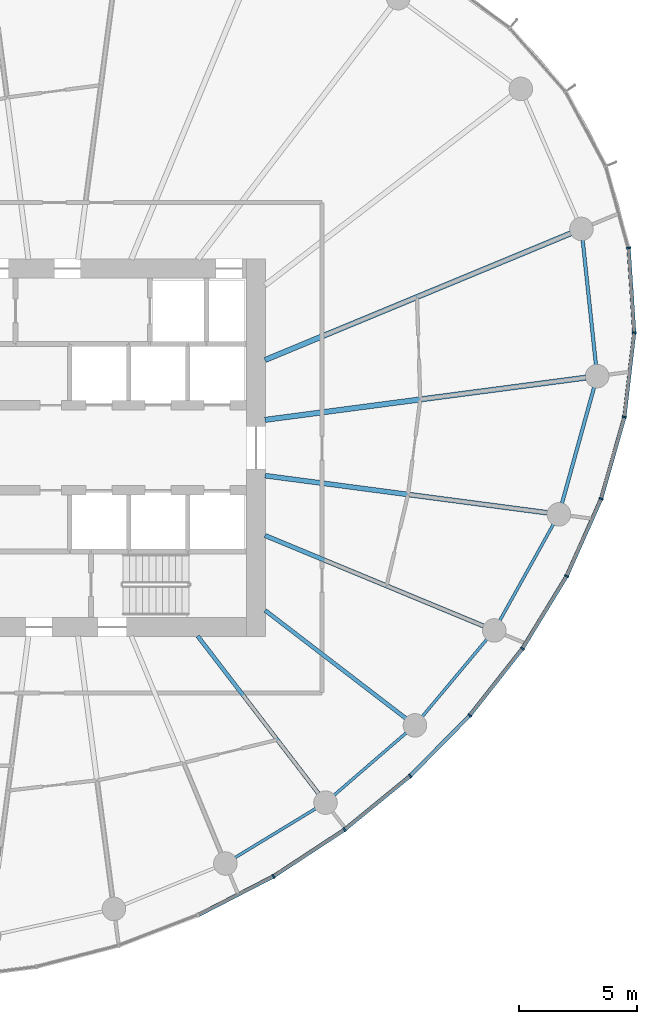
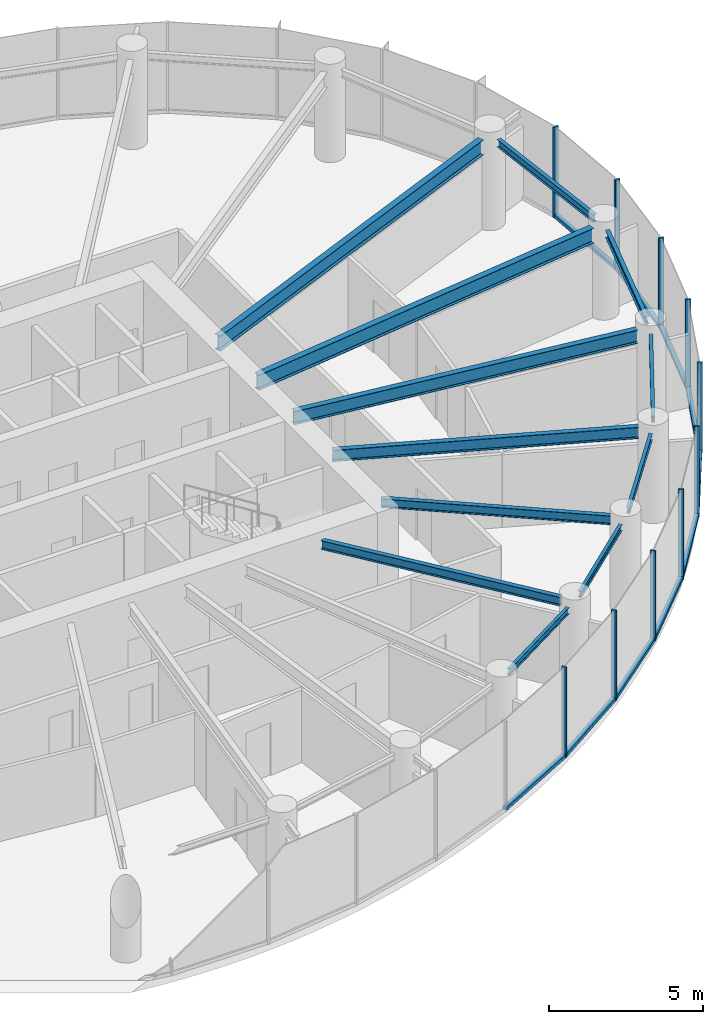
# One storey, part 4 of 14: 20 members, 12 beams, 3 elements without a shape of their own.
"""IFC4 building model written with IfcOpenShell, lengths in metres."""

from ifc_helpers import new_model, si_unit, direction, frame, origin, origin_2d, place, context, subcontext, project, spatial, rectangle, i_section, extrude, source, transform, mapped, material, layer, layer_set, material_profile, profile_set, type_object, element, aggregate, save


model = new_model("IFC4")

# Units and contexts
model_context = context("Model", 3, precision=1e-05, world=origin(), true_north=direction((0.0, 1.0)))
body_context = subcontext(model_context, "Body", "Model", "MODEL_VIEW")
ifc_project = project(units=[si_unit("LENGTHUNIT", "METRE"), si_unit("AREAUNIT", "SQUARE_METRE"), si_unit("VOLUMEUNIT", "CUBIC_METRE"), si_unit("PLANEANGLEUNIT", "RADIAN"), si_unit("MASSUNIT", "GRAM", prefix="KILO")], contexts=[model_context])

# Site, building, storey
site_placement = place(None, origin())
site = spatial("IfcSite", under=ifc_project, at=site_placement, CompositionType="ELEMENT")
building_placement = place(site_placement, origin())
building = spatial("IfcBuilding", under=site, at=building_placement, Name="Spindrift Exchange Tower", CompositionType="ELEMENT")
storey_placement = place(building_placement, frame((0.0, 0.0, 156.5)))
storey = spatial("IfcBuildingStorey", under=building, at=storey_placement, Name="L37", CompositionType="ELEMENT", Elevation=156.5)

# Beams
ifc_material_1 = material(Name="Steel Grade 300", Category="steel")
ifc_material_profile_1 = material_profile(ifc_material_1, i_section(OverallWidth=0.14892578125, OverallDepth=0.298095703125, WebThickness=0.005615234375, FlangeThickness=0.008056640625, FilletRadius=0.012939453125, at=origin_2d()), Name="310UB32.0")
ifc_profile_set_1 = profile_set([ifc_material_profile_1], Name="Steel Grade 300")
beam_type_1 = type_object("IfcBeamType", Name="Edge Beam 310UB32.0 Steel Grade 300", PredefinedType="SPANDREL", material=ifc_profile_set_1)
shared_shape_1 = source(origin(), body_context, "Body", "SweptSolid", [
    extrude(i_section(OverallWidth=0.14892578125, OverallDepth=0.298095703125, WebThickness=0.005615234375, FlangeThickness=0.008056640625, FilletRadius=0.012939453125, at=origin_2d()), origin(), (0.0, 0.0, 1.0), 5.31640625),
])
beam_1_placement = place(storey_placement, frame((75.010986328125, 51.513427734375, 3.430908203125), z_axis=(-0.10598990948, 0.994367205357, 0.0), x_axis=(-0.994367205357, -0.10598990948, 0.0)))
element("IfcBeam", 1, at=beam_1_placement, inside=storey, type_object=beam_type_1, Name="L37 edge beam E01", PredefinedType="SPANDREL", context=body_context, shape_type="MappedRepresentation", body=[
    mapped(shared_shape_1, transform((0.0, 0.0, 0.0), scale=1.0)),
])
ifc_material_profile_2 = material_profile(ifc_material_1, i_section(OverallWidth=0.1240234375, OverallDepth=0.248046875, WebThickness=0.0048828125, FlangeThickness=0.008056640625, FilletRadius=0.011962890625, at=origin_2d()), Name="250UB25.7")
ifc_profile_set_2 = profile_set([ifc_material_profile_2], Name="Steel Grade 300")
beam_type_2 = type_object("IfcBeamType", Name="Edge Beam 250UB25.7 Steel Grade 300", PredefinedType="SPANDREL", material=ifc_profile_set_2)
shared_shape_2 = source(origin(), body_context, "Body", "SweptSolid", [
    extrude(i_section(OverallWidth=0.1240234375, OverallDepth=0.248046875, WebThickness=0.0048828125, FlangeThickness=0.008056640625, FilletRadius=0.011962890625, at=origin_2d()), origin(), (0.0, 0.0, 1.0), 4.00634765625),
])
beam_2_placement = place(storey_placement, frame((59.7109375, 30.623779296875, 3.4560546875), z_axis=(0.854331495603, 0.519728482596, 0.0), x_axis=(-0.519728482596, 0.854331495603, 0.0)))
element("IfcBeam", 2, at=beam_2_placement, inside=storey, type_object=beam_type_2, Name="L37 edge beam E20", PredefinedType="SPANDREL", context=body_context, shape_type="MappedRepresentation", body=[
    mapped(shared_shape_2, transform((0.0, 0.0, 0.0), scale=1.0)),
])
shared_shape_3 = source(origin(), body_context, "Body", "SweptSolid", [
    extrude(i_section(OverallWidth=0.1240234375, OverallDepth=0.248046875, WebThickness=0.0048828125, FlangeThickness=0.008056640625, FilletRadius=0.011962890625, at=origin_2d()), origin(), (0.0, 0.0, 1.0), 4.052001953125),
])
beam_3_placement = place(storey_placement, frame((63.906982421875, 33.269287109375, 3.4560546875), z_axis=(0.756715968535, 0.65374379, 0.0), x_axis=(-0.65374379, 0.756715968535, 0.0)))
element("IfcBeam", 3, at=beam_3_placement, inside=storey, type_object=beam_type_2, Name="L37 edge beam E21", PredefinedType="SPANDREL", context=body_context, shape_type="MappedRepresentation", body=[
    mapped(shared_shape_3, transform((0.0, 0.0, 0.0), scale=1.0)),
])
shared_shape_4 = source(origin(), body_context, "Body", "SweptSolid", [
    extrude(i_section(OverallWidth=0.1240234375, OverallDepth=0.248046875, WebThickness=0.0048828125, FlangeThickness=0.008056640625, FilletRadius=0.011962890625, at=origin_2d()), origin(), (0.0, 0.0, 1.0), 4.282958984375),
])
beam_4_placement = place(storey_placement, frame((67.644287109375, 36.600341796875, 3.4560546875), z_axis=(0.641400288548, 0.767206406289, 0.0), x_axis=(-0.767206406289, 0.641400288548, 0.0)))
element("IfcBeam", 4, at=beam_4_placement, inside=storey, type_object=beam_type_2, Name="L37 edge beam E22", PredefinedType="SPANDREL", context=body_context, shape_type="MappedRepresentation", body=[
    mapped(shared_shape_4, transform((0.0, 0.0, 0.0), scale=1.0)),
])
shared_shape_5 = source(origin(), body_context, "Body", "SweptSolid", [
    extrude(i_section(OverallWidth=0.1240234375, OverallDepth=0.248046875, WebThickness=0.0048828125, FlangeThickness=0.008056640625, FilletRadius=0.011962890625, at=origin_2d()), origin(), (0.0, 0.0, 1.0), 4.6748046875),
])
beam_5_placement = place(storey_placement, frame((70.932861328125, 40.673828125, 3.4560546875), z_axis=(0.486587145143, 0.873632045075, 0.0), x_axis=(-0.873632045075, 0.486587145143, 0.0)))
element("IfcBeam", 5, at=beam_5_placement, inside=storey, type_object=beam_type_2, Name="L37 edge beam E23", PredefinedType="SPANDREL", context=body_context, shape_type="MappedRepresentation", body=[
    mapped(shared_shape_5, transform((0.0, 0.0, 0.0), scale=1.0)),
])
shared_shape_6 = source(origin(), body_context, "Body", "SweptSolid", [
    extrude(i_section(OverallWidth=0.14892578125, OverallDepth=0.298095703125, WebThickness=0.005615234375, FlangeThickness=0.008056640625, FilletRadius=0.012939453125, at=origin_2d()), origin(), (0.0, 0.0, 1.0), 5.118896484375),
])
beam_6_placement = place(storey_placement, frame((73.569091796875, 45.639892578125, 3.430908203125), z_axis=(0.266654866605, 0.963792084485, 0.0), x_axis=(-0.963792084485, 0.266654866605, 0.0)))
element("IfcBeam", 6, at=beam_6_placement, inside=storey, type_object=beam_type_1, Name="L37 edge beam E24", PredefinedType="SPANDREL", context=body_context, shape_type="MappedRepresentation", body=[
    mapped(shared_shape_6, transform((0.0, 0.0, 0.0), scale=1.0)),
])
ifc_material_profile_3 = material_profile(ifc_material_1, i_section(OverallWidth=0.22802734375, OverallDepth=0.60205078125, WebThickness=0.010498046875, FlangeThickness=0.014892578125, FilletRadius=0.013916015625, at=origin_2d()), Name="610UB101")
ifc_profile_set_3 = profile_set([ifc_material_profile_3], Name="Steel Grade 300")
beam_type_3 = type_object("IfcBeamType", Name="Floor Beam 610UB101 Steel Grade 300", PredefinedType="BEAM", material=ifc_profile_set_3)
shared_shape_7 = source(origin(), body_context, "Body", "SweptSolid", [
    extrude(i_section(OverallWidth=0.22802734375, OverallDepth=0.60205078125, WebThickness=0.010498046875, FlangeThickness=0.014892578125, FilletRadius=0.013916015625, at=origin_2d()), origin(), (0.0, 0.0, 1.0), 13.723388671875),
])
beam_7_placement = place(storey_placement, frame((60.980224609375, 49.182373046875, 3.279052734375), z_axis=(0.991447148915, 0.13050881544, 0.0), x_axis=(-0.13050881544, 0.991447148915, 0.0)))
element("IfcBeam", 7, at=beam_7_placement, inside=storey, type_object=beam_type_3, Name="L37 radial beam R01A", PredefinedType="BEAM", context=body_context, shape_type="MappedRepresentation", body=[
    mapped(shared_shape_7, transform((0.0, 0.0, 0.0), scale=1.0)),
])
shared_shape_8 = source(origin(), body_context, "Body", "SweptSolid", [
    extrude(i_section(OverallWidth=0.22802734375, OverallDepth=0.60205078125, WebThickness=0.010498046875, FlangeThickness=0.014892578125, FilletRadius=0.013916015625, at=origin_2d()), origin(), (0.0, 0.0, 1.0), 14.04052734375),
])
beam_8_placement = place(storey_placement, frame((60.9814453125, 51.72021484375, 3.279052734375), z_axis=(0.923879501748, 0.382683506634, 0.0), x_axis=(-0.382683506634, 0.923879501748, 0.0)))
element("IfcBeam", 8, at=beam_8_placement, inside=storey, type_object=beam_type_3, Name="L37 radial beam R02A", PredefinedType="BEAM", context=body_context, shape_type="MappedRepresentation", body=[
    mapped(shared_shape_8, transform((0.0, 0.0, 0.0), scale=1.0)),
])
ifc_material_profile_4 = material_profile(ifc_material_1, i_section(OverallWidth=0.1708984375, OverallDepth=0.35205078125, WebThickness=0.0068359375, FlangeThickness=0.009765625, FilletRadius=0.013916015625, at=origin_2d()), Name="360UB44.7")
ifc_profile_set_4 = profile_set([ifc_material_profile_4], Name="Steel Grade 300")
beam_type_4 = type_object("IfcBeamType", Name="Floor Beam 360UB44.7 Steel Grade 300", PredefinedType="BEAM", material=ifc_profile_set_4)
shared_shape_9 = source(origin(), body_context, "Body", "SweptSolid", [
    extrude(i_section(OverallWidth=0.1708984375, OverallDepth=0.35205078125, WebThickness=0.0068359375, FlangeThickness=0.009765625, FilletRadius=0.013916015625, at=origin_2d()), origin(), (0.0, 0.0, 1.0), 8.419189453125),
])
beam_9_placement = place(storey_placement, frame((58.12646484375, 40.015869140625, 3.404052734375), z_axis=(0.608755970582, -0.79335752866, 0.0), x_axis=(0.79335752866, 0.608755970582, 0.0)))
element("IfcBeam", 9, at=beam_9_placement, inside=storey, type_object=beam_type_4, Name="L37 radial beam R21A", PredefinedType="BEAM", context=body_context, shape_type="MappedRepresentation", body=[
    mapped(shared_shape_9, transform((0.0, 0.0, 0.0), scale=1.0)),
])
shared_shape_10 = source(origin(), body_context, "Body", "SweptSolid", [
    extrude(i_section(OverallWidth=0.1708984375, OverallDepth=0.35205078125, WebThickness=0.0068359375, FlangeThickness=0.009765625, FilletRadius=0.013916015625, at=origin_2d()), origin(), (0.0, 0.0, 1.0), 7.52685546875),
])
beam_10_placement = place(storey_placement, frame((60.984130859375, 41.106201171875, 3.404052734375), z_axis=(0.793354136078, -0.608760391918, 0.0), x_axis=(0.608760391918, 0.793354136078, 0.0)))
element("IfcBeam", 10, at=beam_10_placement, inside=storey, type_object=beam_type_4, Name="L37 radial beam R22A", PredefinedType="BEAM", context=body_context, shape_type="MappedRepresentation", body=[
    mapped(shared_shape_10, transform((0.0, 0.0, 0.0), scale=1.0)),
])
ifc_material_profile_5 = material_profile(ifc_material_1, i_section(OverallWidth=0.18994140625, OverallDepth=0.4541015625, WebThickness=0.008544921875, FlangeThickness=0.0126953125, FilletRadius=0.013916015625, at=origin_2d()), Name="460UB67.1")
ifc_profile_set_5 = profile_set([ifc_material_profile_5], Name="Steel Grade 300")
beam_type_5 = type_object("IfcBeamType", Name="Floor Beam 460UB67.1 Steel Grade 300", PredefinedType="BEAM", material=ifc_profile_set_5)
shared_shape_11 = source(origin(), body_context, "Body", "SweptSolid", [
    extrude(i_section(OverallWidth=0.18994140625, OverallDepth=0.4541015625, WebThickness=0.008544921875, FlangeThickness=0.0126953125, FilletRadius=0.013916015625, at=origin_2d()), origin(), (0.0, 0.0, 1.0), 10.03857421875),
])
beam_11_placement = place(storey_placement, frame((60.9814453125, 44.27978515625, 3.35302734375), z_axis=(0.923880777638, -0.382680426349, 0.0), x_axis=(0.382680426349, 0.923880777638, 0.0)))
element("IfcBeam", 11, at=beam_11_placement, inside=storey, type_object=beam_type_5, Name="L37 radial beam R23A", PredefinedType="BEAM", context=body_context, shape_type="MappedRepresentation", body=[
    mapped(shared_shape_11, transform((0.0, 0.0, 0.0), scale=1.0)),
])
ifc_material_profile_6 = material_profile(ifc_material_1, i_section(OverallWidth=0.208984375, OverallDepth=0.528076171875, WebThickness=0.009521484375, FlangeThickness=0.01318359375, FilletRadius=0.013916015625, at=origin_2d()), Name="530UB82.0")
ifc_profile_set_6 = profile_set([ifc_material_profile_6], Name="Steel Grade 300")
beam_type_6 = type_object("IfcBeamType", Name="Floor Beam 530UB82.0 Steel Grade 300", PredefinedType="BEAM", material=ifc_profile_set_6)
shared_shape_12 = source(origin(), body_context, "Body", "SweptSolid", [
    extrude(i_section(OverallWidth=0.208984375, OverallDepth=0.528076171875, WebThickness=0.009521484375, FlangeThickness=0.01318359375, FilletRadius=0.013916015625, at=origin_2d()), origin(), (0.0, 0.0, 1.0), 12.088134765625),
])
beam_12_placement = place(storey_placement, frame((60.980224609375, 46.817626953125, 3.31591796875), z_axis=(0.991447007302, -0.130509891244, 0.0), x_axis=(0.130509891244, 0.991447007302, 0.0)))
element("IfcBeam", 12, at=beam_12_placement, inside=storey, type_object=beam_type_6, Name="L37 radial beam R24A", PredefinedType="BEAM", context=body_context, shape_type="MappedRepresentation", body=[
    mapped(shared_shape_12, transform((0.0, 0.0, 0.0), scale=1.0)),
])

# Curtain wall, member
ifc_material_2 = material(Name="Fritted laminated glass with bronze frame", Category="glass")
ifc_layer = layer(ifc_material_2, 0.179931640625)
ifc_layer_set = layer_set([ifc_layer], Name="ZONE 3 BRONZE FRITTED WALL")
curtain_wall_type = type_object("IfcCurtainWallType", Name="ZONE 3 BRONZE FRITTED WALL", PredefinedType="NOTDEFINED", material=ifc_layer_set)
curtain_wall_1_placement = place(storey_placement, origin())
curtain_wall_1 = element("IfcCurtainWall", 13, at=curtain_wall_1_placement, inside=storey, type_object=curtain_wall_type, Name="L37 Zone 3 Bronze Fritted Wall run 5", PredefinedType="NOTDEFINED")
ifc_material_3 = material(Name="Bronze anodised aluminium", Category="aluminium")
ifc_material_profile_7 = material_profile(ifc_material_3, rectangle(XDim=0.159912109375, YDim=0.1298828125, at=origin_2d()), Name="ZONE 3 BRONZE FRITTED WALL TRANSOM 160X130")
ifc_profile_set_7 = profile_set([ifc_material_profile_7], Name="Bronze anodised aluminium")
member_type_1 = type_object("IfcMemberType", Name="ZONE 3 BRONZE FRITTED WALL TRANSOM 160X130", PredefinedType="USERDEFINED", material=ifc_profile_set_7)
shared_shape_13 = source(origin(), body_context, "Body", "SweptSolid", [
    extrude(rectangle(XDim=0.159912109375, YDim=0.1298828125, at=origin_2d()), origin(), (0.0, 0.0, 1.0), 3.53076171875),
])
member_1_placement = place(storey_placement, frame((58.16796875, 28.19921875, 0.06494140625), z_axis=(0.889082014663, 0.457747934132, 0.0), x_axis=(-0.457747934132, 0.889082014663, 0.0)))
member_1 = element("IfcMember", 14, at=member_1_placement, type_object=member_type_1, Name="L37 transom CW-3.30", ObjectType="TRANSOM", PredefinedType="USERDEFINED", context=body_context, shape_type="MappedRepresentation", body=[
    mapped(shared_shape_13, transform((0.0, 0.0, 0.0), scale=1.0)),
])
aggregate(curtain_wall_1, [member_1])

# Curtain wall, members
curtain_wall_2_placement = place(storey_placement, origin())
curtain_wall_2 = element("IfcCurtainWall", 15, at=curtain_wall_2_placement, inside=storey, type_object=curtain_wall_type, Name="L37 Zone 3 Bronze Fritted Wall run 6", PredefinedType="NOTDEFINED")
member_2_placement = place(storey_placement, frame((67.158935546875, 34.114013671875, 0.06494140625), z_axis=(0.701762496127, 0.712410976214, 0.0), x_axis=(-0.712410976214, 0.701762496127, 0.0)))
member_2 = element("IfcMember", 16, at=member_2_placement, type_object=member_type_1, Name="L37 transom CW-3.33", ObjectType="TRANSOM", PredefinedType="USERDEFINED", context=body_context, shape_type="MappedRepresentation", body=[
    mapped(shared_shape_13, transform((0.0, 0.0, 0.0), scale=1.0)),
])
member_3_placement = place(storey_placement, frame((69.682861328125, 36.681884765625, 0.06494140625), z_axis=(0.61846876923, 0.785809379867, 0.0), x_axis=(-0.785809379867, 0.61846876923, 0.0)))
member_3 = element("IfcMember", 17, at=member_3_placement, type_object=member_type_1, Name="L37 transom CW-3.34", ObjectType="TRANSOM", PredefinedType="USERDEFINED", context=body_context, shape_type="MappedRepresentation", body=[
    mapped(shared_shape_13, transform((0.0, 0.0, 0.0), scale=1.0)),
])
shared_shape_14 = source(origin(), body_context, "Body", "SweptSolid", [
    extrude(rectangle(XDim=0.159912109375, YDim=0.1298828125, at=origin_2d()), origin(), (0.0, 0.0, 1.0), 3.531005859375),
])
member_4_placement = place(storey_placement, frame((61.367431640625, 29.8505859375, 0.06494140625), z_axis=(0.835870455003, 0.548926755089, 0.0), x_axis=(-0.548926755089, 0.835870455003, 0.0)))
member_4 = element("IfcMember", 18, at=member_4_placement, type_object=member_type_1, Name="L37 transom CW-3.31", ObjectType="TRANSOM", PredefinedType="USERDEFINED", context=body_context, shape_type="MappedRepresentation", body=[
    mapped(shared_shape_14, transform((0.0, 0.0, 0.0), scale=1.0)),
])
member_5_placement = place(storey_placement, frame((64.375244140625, 31.830078125, 0.06494140625), z_axis=(0.773701546777, 0.633550247821, 0.0), x_axis=(-0.633550247821, 0.773701546777, 0.0)))
member_5 = element("IfcMember", 19, at=member_5_placement, type_object=member_type_1, Name="L37 transom CW-3.32", ObjectType="TRANSOM", PredefinedType="USERDEFINED", context=body_context, shape_type="MappedRepresentation", body=[
    mapped(shared_shape_14, transform((0.0, 0.0, 0.0), scale=1.0)),
])
shared_shape_15 = source(origin(), body_context, "Body", "SweptSolid", [
    extrude(rectangle(XDim=0.159912109375, YDim=0.1298828125, at=origin_2d()), origin(), (0.0, 0.0, 1.0), 3.5302734375),
])
member_6_placement = place(storey_placement, frame((71.90625, 39.513671875, 0.06494140625), z_axis=(0.521374478664, 0.853327986766, 0.0), x_axis=(-0.853327986766, 0.521374478664, 0.0)))
member_6 = element("IfcMember", 20, at=member_6_placement, type_object=member_type_1, Name="L37 transom CW-3.35", ObjectType="TRANSOM", PredefinedType="USERDEFINED", context=body_context, shape_type="MappedRepresentation", body=[
    mapped(shared_shape_15, transform((0.0, 0.0, 0.0), scale=1.0)),
])
ifc_material_profile_8 = material_profile(ifc_material_3, rectangle(XDim=0.070068359375, YDim=0.179931640625, at=origin_2d()), Name="ZONE 3 BRONZE FRITTED WALL MULLION 70X180")
ifc_profile_set_8 = profile_set([ifc_material_profile_8], Name="Bronze anodised aluminium")
member_type_2 = type_object("IfcMemberType", Name="ZONE 3 BRONZE FRITTED WALL MULLION 70X180", PredefinedType="MULLION", material=ifc_profile_set_8)
shared_shape_16 = source(origin(), body_context, "Body", "SweptSolid", [
    extrude(rectangle(XDim=0.070068359375, YDim=0.179931640625, at=origin_2d()), origin(), (0.0, 0.0, 1.0), 3.580078125),
])
member_7_placement = place(storey_placement, frame((61.338134765625, 29.831298828125, 0.0), z_axis=(0.0, 0.0, 1.0), x_axis=(0.863679835397, 0.504040813752, 0.0)))
member_7 = element("IfcMember", 21, at=member_7_placement, type_object=member_type_2, Name="L37 mullion CW-3.31", PredefinedType="MULLION", context=body_context, shape_type="MappedRepresentation", body=[
    mapped(shared_shape_16, transform((0.0, 0.0, 0.0), scale=1.0)),
])
member_8_placement = place(storey_placement, frame((64.34814453125, 31.80810546875, 0.0), z_axis=(0.0, 0.0, 1.0), x_axis=(0.805919112959, 0.592025661072, 0.0)))
member_8 = element("IfcMember", 22, at=member_8_placement, type_object=member_type_2, Name="L37 mullion CW-3.32", PredefinedType="MULLION", context=body_context, shape_type="MappedRepresentation", body=[
    mapped(shared_shape_16, transform((0.0, 0.0, 0.0), scale=1.0)),
])
member_9_placement = place(storey_placement, frame((67.13427734375, 34.089111328125, 0.0), z_axis=(0.0, 0.0, 1.0), x_axis=(0.738822560476, 0.673900010485, 0.0)))
member_9 = element("IfcMember", 23, at=member_9_placement, type_object=member_type_2, Name="L37 mullion CW-3.33", PredefinedType="MULLION", context=body_context, shape_type="MappedRepresentation", body=[
    mapped(shared_shape_16, transform((0.0, 0.0, 0.0), scale=1.0)),
])
member_10_placement = place(storey_placement, frame((69.661376953125, 36.654296875, 0.0), z_axis=(0.0, 0.0, 1.0), x_axis=(0.661147114843, 0.750256284569, 0.0)))
member_10 = element("IfcMember", 24, at=member_10_placement, type_object=member_type_2, Name="L37 mullion CW-3.34", PredefinedType="MULLION", context=body_context, shape_type="MappedRepresentation", body=[
    mapped(shared_shape_16, transform((0.0, 0.0, 0.0), scale=1.0)),
])
member_11_placement = place(storey_placement, frame((71.88818359375, 39.483642578125, 0.0), z_axis=(0.0, 0.0, 1.0), x_axis=(0.570900389137, 0.821019333319, 0.0)))
member_11 = element("IfcMember", 25, at=member_11_placement, type_object=member_type_2, Name="L37 mullion CW-3.35", PredefinedType="MULLION", context=body_context, shape_type="MappedRepresentation", body=[
    mapped(shared_shape_16, transform((0.0, 0.0, 0.0), scale=1.0)),
])
member_12_placement = place(storey_placement, frame((73.76513671875, 42.555908203125, 0.0), z_axis=(0.0, 0.0, 1.0), x_axis=(0.465381897719, 0.885109987106, 0.0)))
member_12 = element("IfcMember", 26, at=member_12_placement, type_object=member_type_2, Name="L37 mullion CW-3.36", PredefinedType="MULLION", context=body_context, shape_type="MappedRepresentation", body=[
    mapped(shared_shape_16, transform((0.0, 0.0, 0.0), scale=1.0)),
])

curtain_wall_3_placement = place(storey_placement, origin())
curtain_wall_3 = element("IfcCurtainWall", 27, at=curtain_wall_3_placement, inside=storey, type_object=curtain_wall_type, Name="L37 Zone 3 Bronze Fritted Wall run 7", PredefinedType="NOTDEFINED")
member_13_placement = place(storey_placement, frame((75.23193359375, 45.843505859375, 0.0), z_axis=(0.0, 0.0, 1.0), x_axis=(0.341273617216, 0.939963998349, 0.0)))
member_13 = element("IfcMember", 28, at=member_13_placement, type_object=member_type_2, Name="L37 mullion CW-3.37", PredefinedType="MULLION", context=body_context, shape_type="MappedRepresentation", body=[
    mapped(shared_shape_16, transform((0.0, 0.0, 0.0), scale=1.0)),
])
member_14_placement = place(storey_placement, frame((76.2158203125, 49.305419921875, 0.0), z_axis=(0.0, 0.0, 1.0), x_axis=(0.195110549619, 0.980781256666, 0.0)))
member_14 = element("IfcMember", 29, at=member_14_placement, type_object=member_type_2, Name="L37 mullion CW-3.38", PredefinedType="MULLION", context=body_context, shape_type="MappedRepresentation", body=[
    mapped(shared_shape_16, transform((0.0, 0.0, 0.0), scale=1.0)),
])
member_15_placement = place(storey_placement, frame((76.6318359375, 52.87939453125, 0.0), z_axis=(0.0, 0.0, 1.0), x_axis=(0.024729315489, 0.999694183716, 0.0)))
member_15 = element("IfcMember", 30, at=member_15_placement, type_object=member_type_2, Name="L37 mullion CW-3.39", PredefinedType="MULLION", context=body_context, shape_type="MappedRepresentation", body=[
    mapped(shared_shape_16, transform((0.0, 0.0, 0.0), scale=1.0)),
])
member_16_placement = place(storey_placement, frame((76.39306640625, 56.468505859375, 0.0), z_axis=(0.0, 0.0, 1.0), x_axis=(-0.167846132091, 0.985813205401, 0.0)))
member_16 = element("IfcMember", 31, at=member_16_placement, type_object=member_type_2, Name="L37 mullion CW-3.40", PredefinedType="MULLION", context=body_context, shape_type="MappedRepresentation", body=[
    mapped(shared_shape_16, transform((0.0, 0.0, 0.0), scale=1.0)),
])

# Member
shared_shape_17 = source(origin(), body_context, "Body", "SweptSolid", [
    extrude(rectangle(XDim=0.159912109375, YDim=0.1298828125, at=origin_2d()), origin(), (0.0, 0.0, 1.0), 3.530029296875),
])
member_17_placement = place(storey_placement, frame((73.779296875, 42.587890625, 0.06494140625), z_axis=(0.407498426049, 0.913205909293, 0.0), x_axis=(-0.913205909293, 0.407498426049, 0.0)))
member_17 = element("IfcMember", 32, at=member_17_placement, type_object=member_type_1, Name="L37 transom CW-3.36", ObjectType="TRANSOM", PredefinedType="USERDEFINED", context=body_context, shape_type="MappedRepresentation", body=[
    mapped(shared_shape_17, transform((0.0, 0.0, 0.0), scale=1.0)),
])

aggregate(curtain_wall_2, [member_7, member_4, member_8, member_5, member_9, member_2, member_10, member_3, member_11, member_6, member_12, member_17])

shared_shape_18 = source(origin(), body_context, "Body", "SweptSolid", [
    extrude(rectangle(XDim=0.159912109375, YDim=0.1298828125, at=origin_2d()), origin(), (0.0, 0.0, 1.0), 3.527099609375),
])
member_18_placement = place(storey_placement, frame((76.62939453125, 52.914306640625, 0.06494140625), z_axis=(-0.066381184108, 0.997794336723, 0.0), x_axis=(-0.997794336723, -0.066381184108, 0.0)))
member_18 = element("IfcMember", 33, at=member_18_placement, type_object=member_type_1, Name="L37 transom CW-3.39", ObjectType="TRANSOM", PredefinedType="USERDEFINED", context=body_context, shape_type="MappedRepresentation", body=[
    mapped(shared_shape_18, transform((0.0, 0.0, 0.0), scale=1.0)),
])

shared_shape_19 = source(origin(), body_context, "Body", "SweptSolid", [
    extrude(rectangle(XDim=0.159912109375, YDim=0.1298828125, at=origin_2d()), origin(), (0.0, 0.0, 1.0), 3.528076171875),
])
member_19_placement = place(storey_placement, frame((76.2197265625, 49.34033203125, 0.06494140625), z_axis=(0.115632646709, 0.993292047192, 0.0), x_axis=(-0.993292047192, 0.115632646709, 0.0)))
member_19 = element("IfcMember", 34, at=member_19_placement, type_object=member_type_1, Name="L37 transom CW-3.38", ObjectType="TRANSOM", PredefinedType="USERDEFINED", context=body_context, shape_type="MappedRepresentation", body=[
    mapped(shared_shape_19, transform((0.0, 0.0, 0.0), scale=1.0)),
])

shared_shape_20 = source(origin(), body_context, "Body", "SweptSolid", [
    extrude(rectangle(XDim=0.159912109375, YDim=0.1298828125, at=origin_2d()), origin(), (0.0, 0.0, 1.0), 3.529052734375),
])
member_20_placement = place(storey_placement, frame((75.241455078125, 45.876953125, 0.06494140625), z_axis=(0.273322916593, 0.96192233744, 0.0), x_axis=(-0.96192233744, 0.273322916593, 0.0)))
member_20 = element("IfcMember", 35, at=member_20_placement, type_object=member_type_1, Name="L37 transom CW-3.37", ObjectType="TRANSOM", PredefinedType="USERDEFINED", context=body_context, shape_type="MappedRepresentation", body=[
    mapped(shared_shape_20, transform((0.0, 0.0, 0.0), scale=1.0)),
])

aggregate(curtain_wall_3, [member_13, member_20, member_14, member_19, member_15, member_18, member_16])

save(model, "model.ifc")
